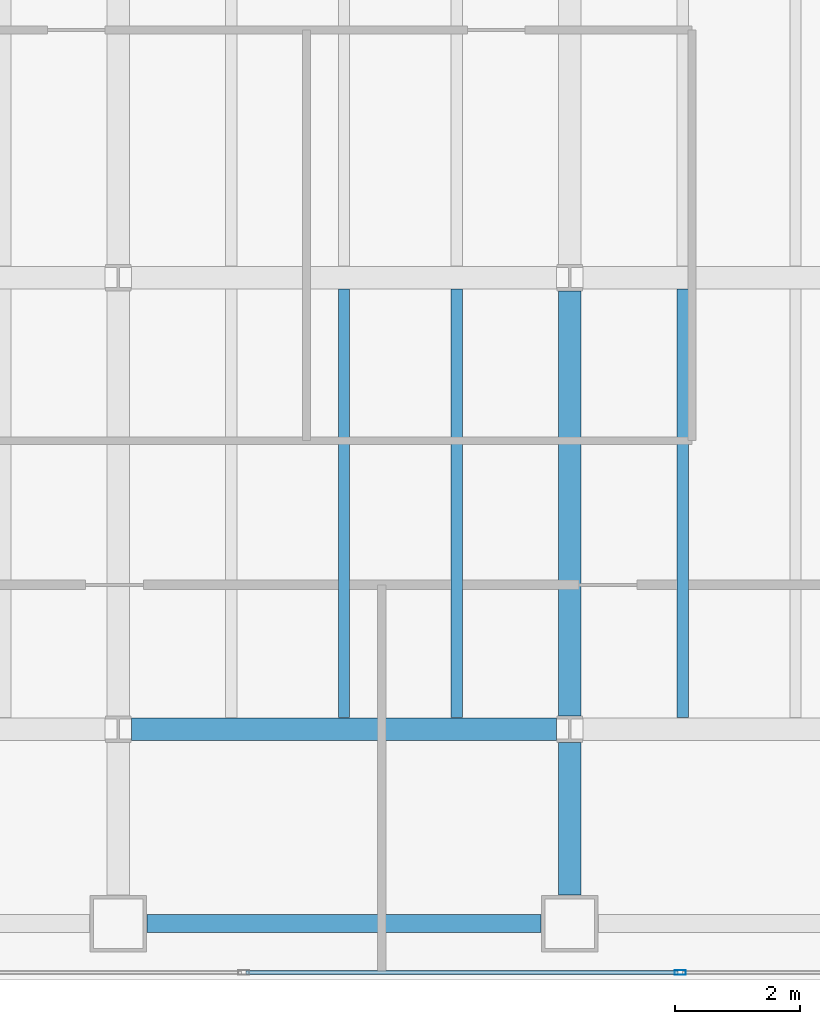
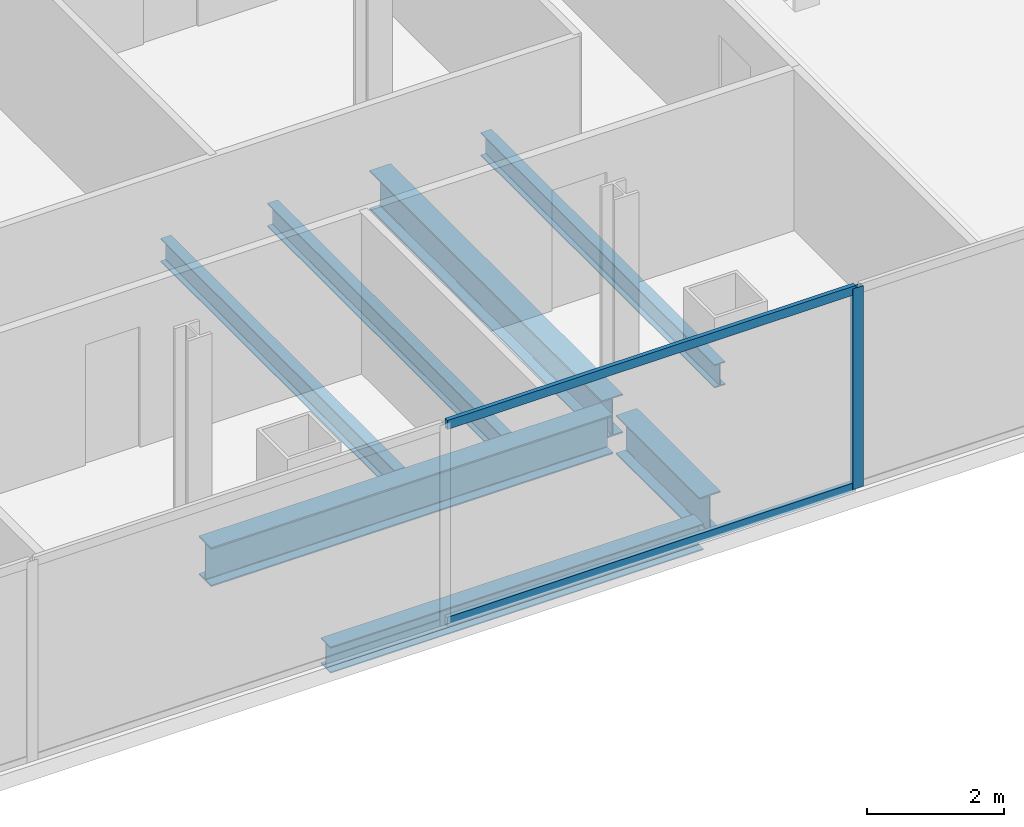
# One storey, part 5 of 23: 7 beams, 3 members, 1 element without a shape of its own.
"""IFC4 building model written with IfcOpenShell, lengths in metres."""

from ifc_helpers import new_model, si_unit, direction, frame, origin, origin_2d, place, context, subcontext, project, spatial, hollow_rectangle, i_section, extrude, material, material_profile, profile_set, type_object, element, aggregate, save


model = new_model("IFC4")

# Units and contexts
model_context = context("Model", 3, precision=1e-05, world=origin(), true_north=direction((0.0, 1.0)))
body_context = subcontext(model_context, "Body", "Model", "MODEL_VIEW")
ifc_project = project(units=[si_unit("LENGTHUNIT", "METRE"), si_unit("AREAUNIT", "SQUARE_METRE"), si_unit("VOLUMEUNIT", "CUBIC_METRE"), si_unit("PLANEANGLEUNIT", "RADIAN"), si_unit("MASSUNIT", "GRAM", prefix="KILO")], contexts=[model_context])

# Site, building, storey
site_placement = place(None, origin())
site = spatial("IfcSite", under=ifc_project, at=site_placement, CompositionType="ELEMENT")
building_placement = place(site_placement, origin())
building = spatial("IfcBuilding", under=site, at=building_placement, Name="Cobrela Telecom Tower", CompositionType="ELEMENT")
storey_placement = place(building_placement, frame((0.0, 0.0, 140.699951171875)))
storey = spatial("IfcBuildingStorey", under=building, at=storey_placement, Name="L35", CompositionType="ELEMENT", Elevation=140.699951171875)

# Beams
ifc_material_1 = material(Name="Steel ASTM A992 Grade 50", Category="steel")
ifc_material_profile_1 = material_profile(ifc_material_1, i_section(OverallWidth=0.35595703125, OverallDepth=0.696044921875, WebThickness=0.015380859375, FlangeThickness=0.024658203125, FilletRadius=0.01806640625, at=origin_2d()), Name="W27X146")
ifc_profile_set_1 = profile_set([ifc_material_profile_1], Name="Steel ASTM A992 Grade 50")
beam_type_1 = type_object("IfcBeamType", Name="BM-GIRD-05", PredefinedType="USERDEFINED", material=ifc_profile_set_1)
beam_1_placement = place(storey_placement, frame((21.8095703125, 7.199951171875, -0.617919921875), z_axis=(1.0, 0.0, 0.0), x_axis=(0.0, 1.0, 0.0)))
element("IfcBeam", 1, at=beam_1_placement, inside=storey, type_object=beam_type_1, Name="L35 Primary Girder X09", ObjectType="GIRDER", PredefinedType="USERDEFINED", context=body_context, shape_type="SweptSolid", body=[
    extrude(i_section(OverallWidth=0.35595703125, OverallDepth=0.696044921875, WebThickness=0.015380859375, FlangeThickness=0.024658203125, FilletRadius=0.01806640625, at=origin_2d()), origin(), (0.0, 0.0, 1.0), 6.781005859375),
])
beam_2_placement = place(storey_placement, frame((28.800048828125, 4.554931640625, -0.617919921875), z_axis=(0.0, 1.0, 0.0), x_axis=(-1.0, 0.0, 0.0)))
element("IfcBeam", 2, at=beam_2_placement, inside=storey, type_object=beam_type_1, Name="L35 Primary Girder Y46", ObjectType="GIRDER", PredefinedType="USERDEFINED", context=body_context, shape_type="SweptSolid", body=[
    extrude(i_section(OverallWidth=0.35595703125, OverallDepth=0.696044921875, WebThickness=0.015380859375, FlangeThickness=0.024658203125, FilletRadius=0.01806640625, at=origin_2d()), origin(), (0.0, 0.0, 1.0), 2.435546875),
])
beam_3_placement = place(storey_placement, frame((28.800048828125, 7.409423828125, -0.617919921875), z_axis=(0.0, 1.0, 0.0), x_axis=(-1.0, 0.0, 0.0)))
element("IfcBeam", 3, at=beam_3_placement, inside=storey, type_object=beam_type_1, Name="L35 Primary Girder Y47", ObjectType="GIRDER", PredefinedType="USERDEFINED", context=body_context, shape_type="SweptSolid", body=[
    extrude(i_section(OverallWidth=0.35595703125, OverallDepth=0.696044921875, WebThickness=0.015380859375, FlangeThickness=0.024658203125, FilletRadius=0.01806640625, at=origin_2d()), origin(), (0.0, 0.0, 1.0), 6.781005859375),
])
ifc_material_profile_2 = material_profile(ifc_material_1, i_section(OverallWidth=0.179931640625, OverallDepth=0.4169921875, WebThickness=0.010986328125, FlangeThickness=0.01806640625, FilletRadius=0.011962890625, at=origin_2d()), Name="W16X57")
ifc_profile_set_2 = profile_set([ifc_material_profile_2], Name="Steel ASTM A992 Grade 50")
beam_type_2 = type_object("IfcBeamType", Name="BM-JOIST-04", PredefinedType="JOIST", material=ifc_profile_set_2)
for number, where, z_axis, x_axis, name in (
    (4, (25.199951171875, 7.383056640625, -0.478515625), (0.0, 1.0, 0.0), (-1.0, 0.0, 0.0), "L35 Secondary Composite Floor Beam J23"),
    (5, (27.0, 7.383056640625, -0.478515625), (0.0, 1.0, 0.0), (-1.0, 0.0, 0.0), "L35 Secondary Composite Floor Beam J25"),
    (6, (30.60009765625, 7.383056640625, -0.478515625), (0.0, 1.0, 0.0), (-1.0, 0.0, 0.0), "L35 Secondary Composite Floor Beam J27"),
):
    element("IfcBeam", number, at=place(storey_placement, frame(where, z_axis=z_axis, x_axis=x_axis)), inside=storey, type_object=beam_type_2, Name=name, PredefinedType="JOIST", context=body_context, shape_type="SweptSolid", body=[
        extrude(i_section(OverallWidth=0.179931640625, OverallDepth=0.4169921875, WebThickness=0.010986328125, FlangeThickness=0.01806640625, FilletRadius=0.011962890625, at=origin_2d()), origin(), (0.0, 0.0, 1.0), 6.833984375),
    ])
ifc_material_profile_3 = material_profile(ifc_material_1, i_section(OverallWidth=0.281982421875, OverallDepth=0.467041015625, WebThickness=0.01220703125, FlangeThickness=0.01953125, FilletRadius=0.012939453125, at=origin_2d()), Name="W18X86")
ifc_profile_set_3 = profile_set([ifc_material_profile_3], Name="Steel ASTM A992 Grade 50")
beam_type_3 = type_object("IfcBeamType", Name="BM-SPAND-04", PredefinedType="SPANDREL", material=ifc_profile_set_3)
beam_4_placement = place(storey_placement, frame((22.054931640625, 4.10009765625, -0.50341796875), z_axis=(1.0, 0.0, 0.0), x_axis=(0.0, 1.0, 0.0)))
element("IfcBeam", 7, at=beam_4_placement, inside=storey, type_object=beam_type_3, Name="L35 Perimeter Spandrel X03", PredefinedType="SPANDREL", context=body_context, shape_type="SweptSolid", body=[
    extrude(i_section(OverallWidth=0.281982421875, OverallDepth=0.467041015625, WebThickness=0.01220703125, FlangeThickness=0.01953125, FilletRadius=0.012939453125, at=origin_2d()), origin(), (0.0, 0.0, 1.0), 6.2900390625),
])

# Curtain wall, members
ifc_material_2 = material(Name="Anodized Bronze Aluminium 6063-T6", Category="aluminium")
curtain_wall_type = type_object("IfcCurtainWallType", Name="CW-SYS-TEL", PredefinedType="USERDEFINED", material=ifc_material_2)
curtain_wall_placement = place(storey_placement, origin())
curtain_wall = element("IfcCurtainWall", 8, at=curtain_wall_placement, inside=storey, type_object=curtain_wall_type, Name="L35 Unitised Bronze Curtain Wall 17", ObjectType="UNITISED CURTAIN WALL", PredefinedType="USERDEFINED")
ifc_material_profile_4 = material_profile(ifc_material_2, hollow_rectangle(XDim=0.074951171875, YDim=0.179931640625, WallThickness=0.00390625, at=origin_2d()), Name="ALU 75x180x4")
ifc_profile_set_4 = profile_set([ifc_material_profile_4], Name="Anodized Bronze Aluminium 6063-T6")
member_type_1 = type_object("IfcMemberType", Name="CW-SYS-TEL-MUL", PredefinedType="MULLION", material=ifc_profile_set_4)
member_1_placement = place(storey_placement, frame((30.563232421875, 3.320068359375, 0.0), z_axis=(0.0, 0.0, 1.0), x_axis=(0.0, -1.0, 0.0)))
member_1 = element("IfcMember", 9, at=member_1_placement, type_object=member_type_1, Name="CW-TEL mullion 3", PredefinedType="MULLION", context=body_context, shape_type="SweptSolid", body=[
    extrude(hollow_rectangle(XDim=0.074951171875, YDim=0.179931640625, WallThickness=0.00390625, at=origin_2d()), origin(), (0.0, 0.0, 1.0), 3.580078125),
])
ifc_material_profile_5 = material_profile(ifc_material_2, hollow_rectangle(XDim=0.070068359375, YDim=0.159912109375, WallThickness=0.00390625, at=origin_2d()), Name="ALU 70x160x4")
ifc_profile_set_5 = profile_set([ifc_material_profile_5], Name="Anodized Bronze Aluminium 6063-T6")
member_type_2 = type_object("IfcMemberType", Name="CW-SYS-TEL-TRN", PredefinedType="USERDEFINED", material=ifc_profile_set_5)
member_2_placement = place(storey_placement, frame((30.52587890625, 3.320068359375, 0.03515625), z_axis=(-1.0, 0.0, 0.0), x_axis=(0.0, -1.0, 0.0)))
member_2 = element("IfcMember", 10, at=member_2_placement, type_object=member_type_2, Name="CW-TEL transom 3.1", ObjectType="TRANSOM", PredefinedType="USERDEFINED", context=body_context, shape_type="SweptSolid", body=[
    extrude(hollow_rectangle(XDim=0.070068359375, YDim=0.159912109375, WallThickness=0.00390625, at=origin_2d()), origin(), (0.0, 0.0, 1.0), 6.888427734375),
])
member_3_placement = place(storey_placement, frame((30.52587890625, 3.320068359375, 3.545166015625), z_axis=(-1.0, 0.0, 0.0), x_axis=(0.0, -1.0, 0.0)))
member_3 = element("IfcMember", 11, at=member_3_placement, type_object=member_type_2, Name="CW-TEL transom 3.2", ObjectType="TRANSOM", PredefinedType="USERDEFINED", context=body_context, shape_type="SweptSolid", body=[
    extrude(hollow_rectangle(XDim=0.070068359375, YDim=0.159912109375, WallThickness=0.00390625, at=origin_2d()), origin(), (0.0, 0.0, 1.0), 6.888427734375),
])
aggregate(curtain_wall, [member_1, member_2, member_3])

save(model, "model.ifc")
